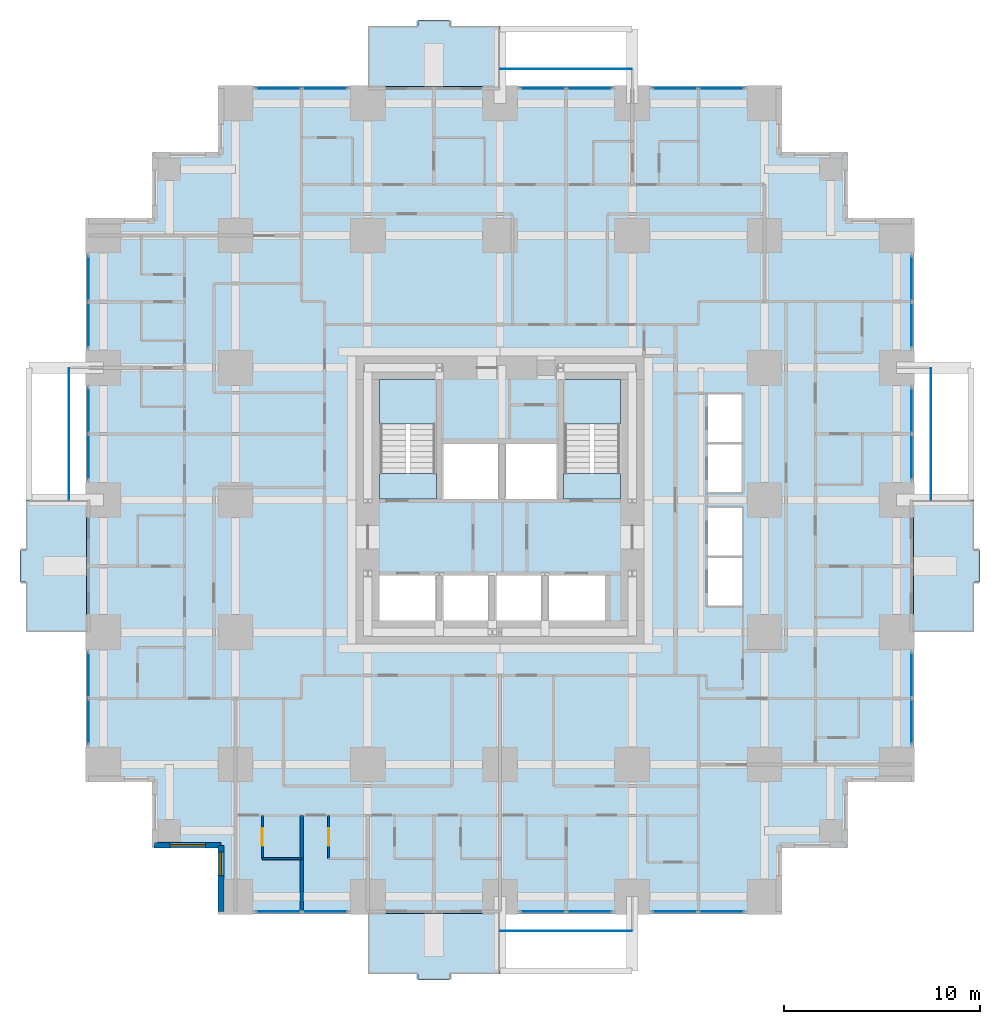
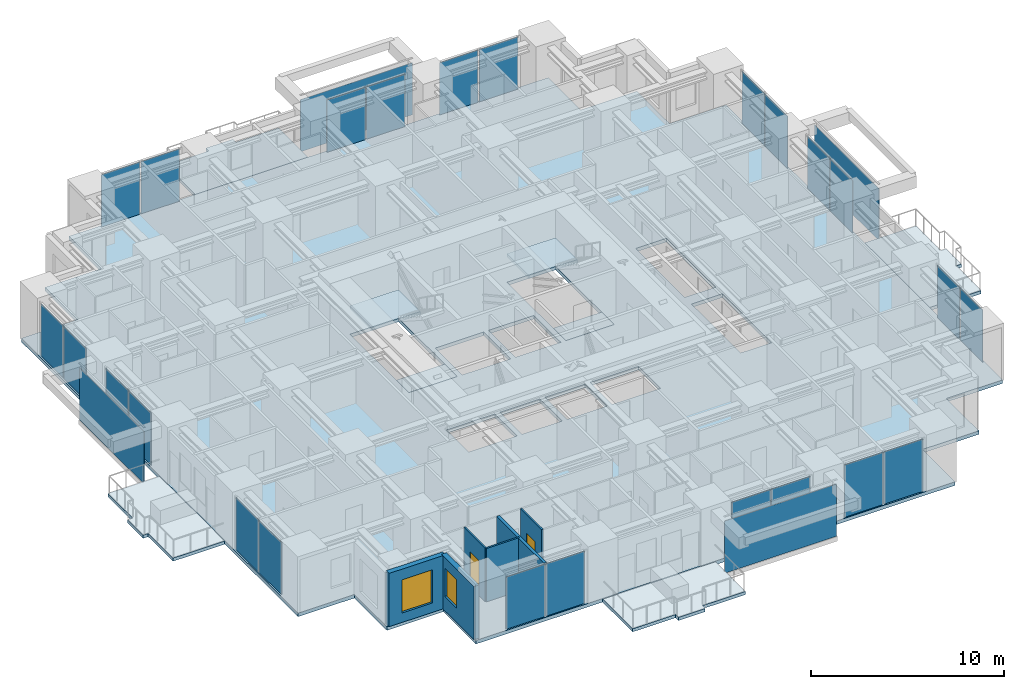
# One storey, part 7 of 14: 28 plates, 9 slabs, 6 walls, 2 doors, 2 windows, 4 openings, 14 elements without a shape of their own.
"""IFC4 building model written with IfcOpenShell, lengths in metres."""

from ifc_helpers import new_model, si_unit, direction, frame, frame_2d, origin, origin_2d, place, context, subcontext, project, spatial, polyline, rectangle, outline, extrude, material, layer, layer_set, type_object, element, fill, aggregate, save


model = new_model("IFC4")

# Units and contexts
model_context = context("Model", 3, precision=1e-05, world=origin(), true_north=direction((0.0, 1.0)))
body_context = subcontext(model_context, "Body", "Model", "MODEL_VIEW")
ifc_project = project(units=[si_unit("LENGTHUNIT", "METRE"), si_unit("AREAUNIT", "SQUARE_METRE"), si_unit("VOLUMEUNIT", "CUBIC_METRE"), si_unit("PLANEANGLEUNIT", "RADIAN"), si_unit("MASSUNIT", "GRAM", prefix="KILO")], contexts=[model_context])

# Site, building, storey
site_placement = place(None, origin())
site = spatial("IfcSite", under=ifc_project, at=site_placement, CompositionType="ELEMENT")
building_placement = place(site_placement, origin())
building = spatial("IfcBuilding", under=site, at=building_placement, Name="Nyansa Garden Tower", CompositionType="ELEMENT")
storey_placement = place(building_placement, frame((0.0, 0.0, 68.39990234375)))
storey = spatial("IfcBuildingStorey", under=building, at=storey_placement, Name="L18", CompositionType="ELEMENT", Elevation=68.39990234375)

# Slabs
ifc_material_1 = material(Name="Concrete C40/50", Category="concrete")
ifc_layer_1 = layer(ifc_material_1, 0.199951171875)
ifc_layer_set_1 = layer_set([ifc_layer_1], Name="Balcony slab BS200")
slab_type_1 = type_object("IfcSlabType", Name="Balcony slab BS200", PredefinedType="FLOOR", material=ifc_layer_set_1)
slab_1_placement = place(storey_placement, frame((0.0, 0.0, -0.239990234375)))
element("IfcSlab", 1, at=slab_1_placement, inside=storey, type_object=slab_type_1, Name="Balcony L18 S", PredefinedType="FLOOR", context=body_context, shape_type="SweptSolid", body=[
    extrude(outline(polyline([(13.5, -0.85009765625), (20.25, -0.85009765625), (20.25, -3.949951171875), (17.675048828125, -3.949951171875), (17.675048828125, -4.25), (16.074951171875, -4.25), (16.074951171875, -3.949951171875), (13.5, -3.949951171875), (13.5, -0.85009765625)])), origin(), (0.0, 0.0, 1.0), 0.2001953125),
])
slab_2_placement = place(storey_placement, frame((0.0, 0.0, -0.239990234375)))
element("IfcSlab", 2, at=slab_2_placement, inside=storey, type_object=slab_type_1, Name="Balcony L18 E", PredefinedType="FLOOR", context=body_context, shape_type="SweptSolid", body=[
    extrude(outline(polyline([(41.35009765625, 13.5), (41.35009765625, 20.25), (44.449951171875, 20.25), (44.449951171875, 17.675048828125), (44.75, 17.675048828125), (44.75, 16.074951171875), (44.449951171875, 16.074951171875), (44.449951171875, 13.5), (41.35009765625, 13.5)])), origin(), (0.0, 0.0, 1.0), 0.2001953125),
])
slab_3_placement = place(storey_placement, frame((0.0, 0.0, -0.239990234375)))
element("IfcSlab", 3, at=slab_3_placement, inside=storey, type_object=slab_type_1, Name="Balcony L18 N", PredefinedType="FLOOR", context=body_context, shape_type="SweptSolid", body=[
    extrude(outline(polyline([(13.5, 41.35009765625), (20.25, 41.35009765625), (20.25, 44.449951171875), (17.675048828125, 44.449951171875), (17.675048828125, 44.75), (16.074951171875, 44.75), (16.074951171875, 44.449951171875), (13.5, 44.449951171875), (13.5, 41.35009765625)])), origin(), (0.0, 0.0, 1.0), 0.2001953125),
])
slab_4_placement = place(storey_placement, frame((0.0, 0.0, -0.239990234375)))
element("IfcSlab", 4, at=slab_4_placement, inside=storey, type_object=slab_type_1, Name="Balcony L18 W", PredefinedType="FLOOR", context=body_context, shape_type="SweptSolid", body=[
    extrude(outline(polyline([(-0.85009765625, 13.5), (-0.85009765625, 20.25), (-3.949951171875, 20.25), (-3.949951171875, 17.675048828125), (-4.25, 17.675048828125), (-4.25, 16.074951171875), (-3.949951171875, 16.074951171875), (-3.949951171875, 13.5), (-0.85009765625, 13.5)])), origin(), (0.0, 0.0, 1.0), 0.2001953125),
])

# Curtain wall, plates
ifc_material_2 = material(Name="Black anodised aluminium, dark tinted double glazing", Category="aluminium")
curtain_wall_type = type_object("IfcCurtainWallType", Name="Inner skin curtain wall ISW-A", PredefinedType="USERDEFINED", material=ifc_material_2)
curtain_wall_1_placement = place(storey_placement, origin())
curtain_wall_1 = element("IfcCurtainWall", 5, at=curtain_wall_1_placement, inside=storey, type_object=curtain_wall_type, Name="Inner skin curtain wall L18 E", ObjectType="UNITISED CURTAIN WALL", PredefinedType="USERDEFINED")
ifc_material_3 = material(Name="Dark tinted laminated double glazing", Category="glass")
ifc_layer_2 = layer(ifc_material_3, 0.031982421875)
ifc_layer_set_2 = layer_set([ifc_layer_2], Name="Dark tinted vision panel VP-A")
plate_type_1 = type_object("IfcPlateType", Name="Dark tinted vision panel VP-A", PredefinedType="CURTAIN_PANEL", material=ifc_layer_set_2)
plate_1_placement = place(storey_placement, frame((41.25, 8.9375, 0.0), z_axis=(0.0, 0.0, 1.0), x_axis=(0.0, 1.0, 0.0)))
plate_1 = element("IfcPlate", 6, at=plate_1_placement, type_object=plate_type_1, Name="ISW-A panel 1", PredefinedType="CURTAIN_PANEL", context=body_context, shape_type="SweptSolid", body=[
    extrude(rectangle(XDim=2.31005859375, YDim=0.031982421875, at=origin_2d()), origin(), (0.0, 0.0, 1.0), 3.31005859375),
])
plate_2_placement = place(storey_placement, frame((41.25, 11.3125, 0.0), z_axis=(0.0, 0.0, 1.0), x_axis=(0.0, 1.0, 0.0)))
plate_2 = element("IfcPlate", 7, at=plate_2_placement, type_object=plate_type_1, Name="ISW-A panel 2", PredefinedType="CURTAIN_PANEL", context=body_context, shape_type="SweptSolid", body=[
    extrude(rectangle(XDim=2.31005859375, YDim=0.031982421875, at=origin_2d()), origin(), (0.0, 0.0, 1.0), 3.31005859375),
])
aggregate(curtain_wall_1, [plate_1, plate_2])

curtain_wall_2_placement = place(storey_placement, origin())
curtain_wall_2 = element("IfcCurtainWall", 8, at=curtain_wall_2_placement, inside=storey, type_object=curtain_wall_type, Name="Inner skin curtain wall L18 E", ObjectType="UNITISED CURTAIN WALL", PredefinedType="USERDEFINED")
plate_3_placement = place(storey_placement, frame((41.25, 22.4375, 0.0), z_axis=(0.0, 0.0, 1.0), x_axis=(0.0, 1.0, 0.0)))
plate_3 = element("IfcPlate", 9, at=plate_3_placement, type_object=plate_type_1, Name="ISW-A panel 1", PredefinedType="CURTAIN_PANEL", context=body_context, shape_type="SweptSolid", body=[
    extrude(rectangle(XDim=2.31005859375, YDim=0.031982421875, at=origin_2d()), origin(), (0.0, 0.0, 1.0), 3.31005859375),
])
plate_4_placement = place(storey_placement, frame((41.25, 24.8125, 0.0), z_axis=(0.0, 0.0, 1.0), x_axis=(0.0, 1.0, 0.0)))
plate_4 = element("IfcPlate", 10, at=plate_4_placement, type_object=plate_type_1, Name="ISW-A panel 2", PredefinedType="CURTAIN_PANEL", context=body_context, shape_type="SweptSolid", body=[
    extrude(rectangle(XDim=2.31005859375, YDim=0.031982421875, at=origin_2d()), origin(), (0.0, 0.0, 1.0), 3.31005859375),
])
aggregate(curtain_wall_2, [plate_3, plate_4])

curtain_wall_3_placement = place(storey_placement, origin())
curtain_wall_3 = element("IfcCurtainWall", 11, at=curtain_wall_3_placement, inside=storey, type_object=curtain_wall_type, Name="Inner skin curtain wall L18 E", ObjectType="UNITISED CURTAIN WALL", PredefinedType="USERDEFINED")
plate_5_placement = place(storey_placement, frame((41.25, 29.1875, 0.0), z_axis=(0.0, 0.0, 1.0), x_axis=(0.0, 1.0, 0.0)))
plate_5 = element("IfcPlate", 12, at=plate_5_placement, type_object=plate_type_1, Name="ISW-A panel 1", PredefinedType="CURTAIN_PANEL", context=body_context, shape_type="SweptSolid", body=[
    extrude(rectangle(XDim=2.31005859375, YDim=0.031982421875, at=origin_2d()), origin(), (0.0, 0.0, 1.0), 3.31005859375),
])
plate_6_placement = place(storey_placement, frame((41.25, 31.5625, 0.0), z_axis=(0.0, 0.0, 1.0), x_axis=(0.0, 1.0, 0.0)))
plate_6 = element("IfcPlate", 13, at=plate_6_placement, type_object=plate_type_1, Name="ISW-A panel 2", PredefinedType="CURTAIN_PANEL", context=body_context, shape_type="SweptSolid", body=[
    extrude(rectangle(XDim=2.31005859375, YDim=0.031982421875, at=origin_2d()), origin(), (0.0, 0.0, 1.0), 3.31005859375),
])
aggregate(curtain_wall_3, [plate_5, plate_6])

curtain_wall_4_placement = place(storey_placement, origin())
curtain_wall_4 = element("IfcCurtainWall", 14, at=curtain_wall_4_placement, inside=storey, type_object=curtain_wall_type, Name="Inner skin curtain wall L18 N", ObjectType="UNITISED CURTAIN WALL", PredefinedType="USERDEFINED")
plate_7_placement = place(storey_placement, frame((11.3125, 41.25, 0.0), z_axis=(0.0, 0.0, 1.0), x_axis=(-1.0, 0.0, 0.0)))
plate_7 = element("IfcPlate", 15, at=plate_7_placement, type_object=plate_type_1, Name="ISW-A panel 1", PredefinedType="CURTAIN_PANEL", context=body_context, shape_type="SweptSolid", body=[
    extrude(rectangle(XDim=2.31005859375, YDim=0.031982421875, at=origin_2d()), origin(), (0.0, 0.0, 1.0), 3.31005859375),
])
plate_8_placement = place(storey_placement, frame((8.9375, 41.25, 0.0), z_axis=(0.0, 0.0, 1.0), x_axis=(-1.0, 0.0, 0.0)))
plate_8 = element("IfcPlate", 16, at=plate_8_placement, type_object=plate_type_1, Name="ISW-A panel 2", PredefinedType="CURTAIN_PANEL", context=body_context, shape_type="SweptSolid", body=[
    extrude(rectangle(XDim=2.31005859375, YDim=0.031982421875, at=origin_2d()), origin(), (0.0, 0.0, 1.0), 3.31005859375),
])
aggregate(curtain_wall_4, [plate_7, plate_8])

curtain_wall_5_placement = place(storey_placement, origin())
curtain_wall_5 = element("IfcCurtainWall", 17, at=curtain_wall_5_placement, inside=storey, type_object=curtain_wall_type, Name="Inner skin curtain wall L18 N", ObjectType="UNITISED CURTAIN WALL", PredefinedType="USERDEFINED")
plate_9_placement = place(storey_placement, frame((31.5625, 41.25, 0.0), z_axis=(0.0, 0.0, 1.0), x_axis=(-1.0, 0.0, 0.0)))
plate_9 = element("IfcPlate", 18, at=plate_9_placement, type_object=plate_type_1, Name="ISW-A panel 1", PredefinedType="CURTAIN_PANEL", context=body_context, shape_type="SweptSolid", body=[
    extrude(rectangle(XDim=2.31005859375, YDim=0.031982421875, at=origin_2d()), origin(), (0.0, 0.0, 1.0), 3.31005859375),
])
plate_10_placement = place(storey_placement, frame((29.1875, 41.25, 0.0), z_axis=(0.0, 0.0, 1.0), x_axis=(-1.0, 0.0, 0.0)))
plate_10 = element("IfcPlate", 19, at=plate_10_placement, type_object=plate_type_1, Name="ISW-A panel 2", PredefinedType="CURTAIN_PANEL", context=body_context, shape_type="SweptSolid", body=[
    extrude(rectangle(XDim=2.31005859375, YDim=0.031982421875, at=origin_2d()), origin(), (0.0, 0.0, 1.0), 3.31005859375),
])
aggregate(curtain_wall_5, [plate_9, plate_10])

curtain_wall_6_placement = place(storey_placement, origin())
curtain_wall_6 = element("IfcCurtainWall", 20, at=curtain_wall_6_placement, inside=storey, type_object=curtain_wall_type, Name="Inner skin curtain wall L18 N", ObjectType="UNITISED CURTAIN WALL", PredefinedType="USERDEFINED")
plate_11_placement = place(storey_placement, frame((24.8125, 41.25, 0.0), z_axis=(0.0, 0.0, 1.0), x_axis=(-1.0, 0.0, 0.0)))
plate_11 = element("IfcPlate", 21, at=plate_11_placement, type_object=plate_type_1, Name="ISW-A panel 1", PredefinedType="CURTAIN_PANEL", context=body_context, shape_type="SweptSolid", body=[
    extrude(rectangle(XDim=2.31005859375, YDim=0.031982421875, at=origin_2d()), origin(), (0.0, 0.0, 1.0), 3.31005859375),
])
plate_12_placement = place(storey_placement, frame((22.4375, 41.25, 0.0), z_axis=(0.0, 0.0, 1.0), x_axis=(-1.0, 0.0, 0.0)))
plate_12 = element("IfcPlate", 22, at=plate_12_placement, type_object=plate_type_1, Name="ISW-A panel 2", PredefinedType="CURTAIN_PANEL", context=body_context, shape_type="SweptSolid", body=[
    extrude(rectangle(XDim=2.31005859375, YDim=0.031982421875, at=origin_2d()), origin(), (0.0, 0.0, 1.0), 3.31005859375),
])
aggregate(curtain_wall_6, [plate_11, plate_12])

curtain_wall_7_placement = place(storey_placement, origin())
curtain_wall_7 = element("IfcCurtainWall", 23, at=curtain_wall_7_placement, inside=storey, type_object=curtain_wall_type, Name="Inner skin curtain wall L18 W", ObjectType="UNITISED CURTAIN WALL", PredefinedType="USERDEFINED")
plate_13_placement = place(storey_placement, frame((-0.75, 11.3125, 0.0), z_axis=(0.0, 0.0, 1.0), x_axis=(0.0, -1.0, 0.0)))
plate_13 = element("IfcPlate", 24, at=plate_13_placement, type_object=plate_type_1, Name="ISW-A panel 1", PredefinedType="CURTAIN_PANEL", context=body_context, shape_type="SweptSolid", body=[
    extrude(rectangle(XDim=2.31005859375, YDim=0.031982421875, at=origin_2d()), origin(), (0.0, 0.0, 1.0), 3.31005859375),
])
plate_14_placement = place(storey_placement, frame((-0.75, 8.9375, 0.0), z_axis=(0.0, 0.0, 1.0), x_axis=(0.0, -1.0, 0.0)))
plate_14 = element("IfcPlate", 25, at=plate_14_placement, type_object=plate_type_1, Name="ISW-A panel 2", PredefinedType="CURTAIN_PANEL", context=body_context, shape_type="SweptSolid", body=[
    extrude(rectangle(XDim=2.31005859375, YDim=0.031982421875, at=origin_2d()), origin(), (0.0, 0.0, 1.0), 3.31005859375),
])
aggregate(curtain_wall_7, [plate_13, plate_14])

curtain_wall_8_placement = place(storey_placement, origin())
curtain_wall_8 = element("IfcCurtainWall", 26, at=curtain_wall_8_placement, inside=storey, type_object=curtain_wall_type, Name="Inner skin curtain wall L18 W", ObjectType="UNITISED CURTAIN WALL", PredefinedType="USERDEFINED")
plate_15_placement = place(storey_placement, frame((-0.75, 31.5625, 0.0), z_axis=(0.0, 0.0, 1.0), x_axis=(0.0, -1.0, 0.0)))
plate_15 = element("IfcPlate", 27, at=plate_15_placement, type_object=plate_type_1, Name="ISW-A panel 1", PredefinedType="CURTAIN_PANEL", context=body_context, shape_type="SweptSolid", body=[
    extrude(rectangle(XDim=2.31005859375, YDim=0.031982421875, at=origin_2d()), origin(), (0.0, 0.0, 1.0), 3.31005859375),
])
plate_16_placement = place(storey_placement, frame((-0.75, 29.1875, 0.0), z_axis=(0.0, 0.0, 1.0), x_axis=(0.0, -1.0, 0.0)))
plate_16 = element("IfcPlate", 28, at=plate_16_placement, type_object=plate_type_1, Name="ISW-A panel 2", PredefinedType="CURTAIN_PANEL", context=body_context, shape_type="SweptSolid", body=[
    extrude(rectangle(XDim=2.31005859375, YDim=0.031982421875, at=origin_2d()), origin(), (0.0, 0.0, 1.0), 3.31005859375),
])
aggregate(curtain_wall_8, [plate_15, plate_16])

curtain_wall_9_placement = place(storey_placement, origin())
curtain_wall_9 = element("IfcCurtainWall", 29, at=curtain_wall_9_placement, inside=storey, type_object=curtain_wall_type, Name="Inner skin curtain wall L18 W", ObjectType="UNITISED CURTAIN WALL", PredefinedType="USERDEFINED")
plate_17_placement = place(storey_placement, frame((-0.75, 24.8125, 0.0), z_axis=(0.0, 0.0, 1.0), x_axis=(0.0, -1.0, 0.0)))
plate_17 = element("IfcPlate", 30, at=plate_17_placement, type_object=plate_type_1, Name="ISW-A panel 1", PredefinedType="CURTAIN_PANEL", context=body_context, shape_type="SweptSolid", body=[
    extrude(rectangle(XDim=2.31005859375, YDim=0.031982421875, at=origin_2d()), origin(), (0.0, 0.0, 1.0), 3.31005859375),
])
plate_18_placement = place(storey_placement, frame((-0.75, 22.4375, 0.0), z_axis=(0.0, 0.0, 1.0), x_axis=(0.0, -1.0, 0.0)))
plate_18 = element("IfcPlate", 31, at=plate_18_placement, type_object=plate_type_1, Name="ISW-A panel 2", PredefinedType="CURTAIN_PANEL", context=body_context, shape_type="SweptSolid", body=[
    extrude(rectangle(XDim=2.31005859375, YDim=0.031982421875, at=origin_2d()), origin(), (0.0, 0.0, 1.0), 3.31005859375),
])
aggregate(curtain_wall_9, [plate_17, plate_18])

curtain_wall_10_placement = place(storey_placement, origin())
curtain_wall_10 = element("IfcCurtainWall", 32, at=curtain_wall_10_placement, inside=storey, type_object=curtain_wall_type, Name="Inner skin curtain wall L18 S", ObjectType="UNITISED CURTAIN WALL", PredefinedType="USERDEFINED")
plate_19_placement = place(storey_placement, frame((8.9375, -0.75, 0.0), z_axis=(0.0, 0.0, 1.0), x_axis=(1.0, 0.0, 0.0)))
plate_19 = element("IfcPlate", 33, at=plate_19_placement, type_object=plate_type_1, Name="ISW-A panel 1", PredefinedType="CURTAIN_PANEL", context=body_context, shape_type="SweptSolid", body=[
    extrude(rectangle(XDim=2.31005859375, YDim=0.031982421875, at=origin_2d()), origin(), (0.0, 0.0, 1.0), 3.31005859375),
])
plate_20_placement = place(storey_placement, frame((11.3125, -0.75, 0.0), z_axis=(0.0, 0.0, 1.0), x_axis=(1.0, 0.0, 0.0)))
plate_20 = element("IfcPlate", 34, at=plate_20_placement, type_object=plate_type_1, Name="ISW-A panel 2", PredefinedType="CURTAIN_PANEL", context=body_context, shape_type="SweptSolid", body=[
    extrude(rectangle(XDim=2.31005859375, YDim=0.031982421875, at=origin_2d()), origin(), (0.0, 0.0, 1.0), 3.31005859375),
])
aggregate(curtain_wall_10, [plate_19, plate_20])

curtain_wall_11_placement = place(storey_placement, origin())
curtain_wall_11 = element("IfcCurtainWall", 35, at=curtain_wall_11_placement, inside=storey, type_object=curtain_wall_type, Name="Inner skin curtain wall L18 S", ObjectType="UNITISED CURTAIN WALL", PredefinedType="USERDEFINED")
plate_21_placement = place(storey_placement, frame((22.4375, -0.75, 0.0), z_axis=(0.0, 0.0, 1.0), x_axis=(1.0, 0.0, 0.0)))
plate_21 = element("IfcPlate", 36, at=plate_21_placement, type_object=plate_type_1, Name="ISW-A panel 1", PredefinedType="CURTAIN_PANEL", context=body_context, shape_type="SweptSolid", body=[
    extrude(rectangle(XDim=2.31005859375, YDim=0.031982421875, at=origin_2d()), origin(), (0.0, 0.0, 1.0), 3.31005859375),
])
plate_22_placement = place(storey_placement, frame((24.8125, -0.75, 0.0), z_axis=(0.0, 0.0, 1.0), x_axis=(1.0, 0.0, 0.0)))
plate_22 = element("IfcPlate", 37, at=plate_22_placement, type_object=plate_type_1, Name="ISW-A panel 2", PredefinedType="CURTAIN_PANEL", context=body_context, shape_type="SweptSolid", body=[
    extrude(rectangle(XDim=2.31005859375, YDim=0.031982421875, at=origin_2d()), origin(), (0.0, 0.0, 1.0), 3.31005859375),
])
aggregate(curtain_wall_11, [plate_21, plate_22])

curtain_wall_12_placement = place(storey_placement, origin())
curtain_wall_12 = element("IfcCurtainWall", 38, at=curtain_wall_12_placement, inside=storey, type_object=curtain_wall_type, Name="Inner skin curtain wall L18 S", ObjectType="UNITISED CURTAIN WALL", PredefinedType="USERDEFINED")
plate_23_placement = place(storey_placement, frame((29.1875, -0.75, 0.0), z_axis=(0.0, 0.0, 1.0), x_axis=(1.0, 0.0, 0.0)))
plate_23 = element("IfcPlate", 39, at=plate_23_placement, type_object=plate_type_1, Name="ISW-A panel 1", PredefinedType="CURTAIN_PANEL", context=body_context, shape_type="SweptSolid", body=[
    extrude(rectangle(XDim=2.31005859375, YDim=0.031982421875, at=origin_2d()), origin(), (0.0, 0.0, 1.0), 3.31005859375),
])
plate_24_placement = place(storey_placement, frame((31.5625, -0.75, 0.0), z_axis=(0.0, 0.0, 1.0), x_axis=(1.0, 0.0, 0.0)))
plate_24 = element("IfcPlate", 40, at=plate_24_placement, type_object=plate_type_1, Name="ISW-A panel 2", PredefinedType="CURTAIN_PANEL", context=body_context, shape_type="SweptSolid", body=[
    extrude(rectangle(XDim=2.31005859375, YDim=0.031982421875, at=origin_2d()), origin(), (0.0, 0.0, 1.0), 3.31005859375),
])
aggregate(curtain_wall_12, [plate_23, plate_24])

# Slab
ifc_material_4 = material(Name="Concrete C40/50", Category="concrete")
ifc_layer_3 = layer(ifc_material_4, 0.22509765625)
ifc_layer_set_3 = layer_set([ifc_layer_3], Name="Floor slab FS225")
slab_type_2 = type_object("IfcSlabType", Name="Floor slab FS225", PredefinedType="FLOOR", material=ifc_layer_set_3)
slab_5_placement = place(storey_placement, frame((0.0, 0.0, -0.224853515625)))
element("IfcSlab", 41, at=slab_5_placement, inside=storey, type_object=slab_type_2, Name="Floor slab L18", PredefinedType="FLOOR", context=body_context, shape_type="SweptSolid", body=[
    extrude(outline(polyline([(41.35009765625, 5.89990234375), (37.97509765625, 5.89990234375), (37.97509765625, 2.52490234375), (34.60009765625, 2.52490234375), (34.60009765625, -0.85009765625), (5.89990234375, -0.85009765625), (5.89990234375, 2.52490234375), (2.52490234375, 2.52490234375), (2.52490234375, 5.89990234375), (-0.85009765625, 5.89990234375), (-0.85009765625, 34.60009765625), (2.52490234375, 34.60009765625), (2.52490234375, 37.97509765625), (5.89990234375, 37.97509765625), (5.89990234375, 41.35009765625), (34.60009765625, 41.35009765625), (34.60009765625, 37.97509765625), (37.97509765625, 37.97509765625), (37.97509765625, 34.60009765625), (41.35009765625, 34.60009765625), (41.35009765625, 5.89990234375)]), holes=[polyline([(14.10009765625, 14.10009765625), (17.0, 14.10009765625), (17.0, 16.39990234375), (14.10009765625, 16.39990234375), (14.10009765625, 14.10009765625)]), polyline([(17.300048828125, 14.10009765625), (19.699951171875, 14.10009765625), (19.699951171875, 16.39990234375), (17.300048828125, 16.39990234375), (17.300048828125, 14.10009765625)]), polyline([(20.0, 14.10009765625), (22.39990234375, 14.10009765625), (22.39990234375, 16.39990234375), (20.0, 16.39990234375), (20.0, 14.10009765625)]), polyline([(22.699951171875, 14.10009765625), (25.60009765625, 14.10009765625), (25.60009765625, 16.39990234375), (22.699951171875, 16.39990234375), (22.699951171875, 14.10009765625)]), polyline([(17.300048828125, 20.300048828125), (20.199951171875, 20.300048828125), (20.199951171875, 23.10009765625), (17.300048828125, 23.10009765625), (17.300048828125, 20.300048828125)]), polyline([(20.5, 20.300048828125), (23.199951171875, 20.300048828125), (23.199951171875, 23.10009765625), (20.5, 23.10009765625), (20.5, 20.300048828125)]), polyline([(30.800048828125, 14.800048828125), (32.64990234375, 14.800048828125), (32.64990234375, 19.89990234375), (30.800048828125, 19.89990234375), (30.800048828125, 14.800048828125)]), polyline([(30.800048828125, 20.60009765625), (32.64990234375, 20.60009765625), (32.64990234375, 25.699951171875), (30.800048828125, 25.699951171875), (30.800048828125, 20.60009765625)]), polyline([(14.10009765625, 20.300048828125), (17.0, 20.300048828125), (17.0, 26.39990234375), (14.10009765625, 26.39990234375), (14.10009765625, 20.300048828125)]), polyline([(23.5, 20.300048828125), (26.39990234375, 20.300048828125), (26.39990234375, 26.39990234375), (23.5, 26.39990234375), (23.5, 20.300048828125)])]), origin(), (0.0, 0.0, 1.0), 0.224853515625),
])

# Plates
ifc_material_5 = material(Name="Dark tinted laminated glass", Category="glass")
ifc_layer_4 = layer(ifc_material_5, 0.02392578125)
ifc_layer_set_4 = layer_set([ifc_layer_4], Name="Outer skin glass panel OS1")
plate_type_2 = type_object("IfcPlateType", Name="Outer skin glass panel OS1", PredefinedType="USERDEFINED", material=ifc_layer_set_4)
for number, where, z_axis, x_axis, name in (
    (42, (42.25, 23.625, -0.22509765625), (0.0, 0.0, 1.0), (0.0, 1.0, 0.0), "Outer skin glass panel L18"),
    (43, (23.625, 42.25, -0.22509765625), (0.0, 0.0, 1.0), (1.0, 0.0, 0.0), "Outer skin glass panel L18"),
    (44, (-1.75, 23.625, -0.22509765625), (0.0, 0.0, 1.0), (0.0, 1.0, 0.0), "Outer skin glass panel L18"),
    (45, (23.625, -1.75, -0.22509765625), (0.0, 0.0, 1.0), (1.0, 0.0, 0.0), "Outer skin glass panel L18"),
):
    element("IfcPlate", number, at=place(storey_placement, frame(where, z_axis=z_axis, x_axis=x_axis)), inside=storey, type_object=plate_type_2, Name=name, ObjectType="OUTER SKIN GLASS", PredefinedType="USERDEFINED", context=body_context, shape_type="SweptSolid", body=[
        extrude(rectangle(XDim=6.7099609375, YDim=0.02392578125, at=origin_2d()), origin(), (0.0, 0.0, 1.0), 3.300048828125),
    ])

# Stair, slabs
ifc_material_6 = material(Name="Precast concrete C40/50", Category="concrete")
stair_type_1 = type_object("IfcStairType", Name="Stair S1 180x280", PredefinedType="HALF_TURN_STAIR", material=ifc_material_6)
stair_1_placement = place(storey_placement, origin())
stair_1 = element("IfcStair", 46, at=stair_1_placement, inside=storey, type_object=stair_type_1, Name="Stair S1 L18", PredefinedType="HALF_TURN_STAIR")
ifc_material_7 = material(Name="Concrete C40/50", Category="concrete")
ifc_layer_5 = layer(ifc_material_7, 0.199951171875)
ifc_layer_set_5 = layer_set([ifc_layer_5], Name="Stair landing SL200")
slab_type_3 = type_object("IfcSlabType", Name="Stair landing SL200", PredefinedType="LANDING", material=ifc_layer_set_5)
slab_6_placement = place(storey_placement, frame((0.0, 0.0, -0.199951171875)))
slab_6 = element("IfcSlab", 47, at=slab_6_placement, type_object=slab_type_3, Name="S1 landing 1", PredefinedType="LANDING", context=body_context, shape_type="SweptSolid", body=[
    extrude(outline(polyline([(14.10009765625, 20.300048828125), (17.0, 20.300048828125), (17.0, 21.60009765625), (14.10009765625, 21.60009765625), (14.10009765625, 20.300048828125)])), origin(), (0.0, 0.0, 1.0), 0.199951171875),
])
slab_7_placement = place(storey_placement, frame((0.0, 0.0, 1.60009765625)))
slab_7 = element("IfcSlab", 48, at=slab_7_placement, type_object=slab_type_3, Name="S1 landing 2", PredefinedType="LANDING", context=body_context, shape_type="SweptSolid", body=[
    extrude(outline(polyline([(14.10009765625, 24.1201171875), (17.0, 24.1201171875), (17.0, 26.39990234375), (14.10009765625, 26.39990234375), (14.10009765625, 24.1201171875)])), origin(), (0.0, 0.0, 1.0), 0.199951171875),
])
aggregate(stair_1, [slab_6, slab_7])

ifc_material_8 = material(Name="Precast concrete C40/50", Category="concrete")
stair_type_2 = type_object("IfcStairType", Name="Stair S2 180x280", PredefinedType="HALF_TURN_STAIR", material=ifc_material_8)
stair_2_placement = place(storey_placement, origin())
stair_2 = element("IfcStair", 49, at=stair_2_placement, inside=storey, type_object=stair_type_2, Name="Stair S2 L18", PredefinedType="HALF_TURN_STAIR")
slab_8_placement = place(storey_placement, frame((0.0, 0.0, -0.199951171875)))
slab_8 = element("IfcSlab", 50, at=slab_8_placement, type_object=slab_type_3, Name="S2 landing 1", PredefinedType="LANDING", context=body_context, shape_type="SweptSolid", body=[
    extrude(outline(polyline([(23.5, 20.300048828125), (26.39990234375, 20.300048828125), (26.39990234375, 21.60009765625), (23.5, 21.60009765625), (23.5, 20.300048828125)])), origin(), (0.0, 0.0, 1.0), 0.199951171875),
])
slab_9_placement = place(storey_placement, frame((0.0, 0.0, 1.60009765625)))
slab_9 = element("IfcSlab", 51, at=slab_9_placement, type_object=slab_type_3, Name="S2 landing 2", PredefinedType="LANDING", context=body_context, shape_type="SweptSolid", body=[
    extrude(outline(polyline([(23.5, 24.1201171875), (26.39990234375, 24.1201171875), (26.39990234375, 26.39990234375), (23.5, 26.39990234375), (23.5, 24.1201171875)])), origin(), (0.0, 0.0, 1.0), 0.199951171875),
])
aggregate(stair_2, [slab_8, slab_9])

# Wall
ifc_material_9 = material(Name="Dense blockwork, plastered both sides, 55 dB", Category="masonry")
ifc_layer_6 = layer(ifc_material_9, 0.175048828125)
ifc_layer_set_6 = layer_set([ifc_layer_6], Name="Acoustic party wall PW175")
wall_type_1 = type_object("IfcWallType", Name="Acoustic party wall PW175", PredefinedType="PARTITIONING", material=ifc_layer_set_6)
wall_1_placement = place(storey_placement, frame((10.125, -0.73388671875, 0.0), z_axis=(0.0, 0.0, 1.0), x_axis=(0.0, 1.0, 0.0)))
element("IfcWall", 52, at=wall_1_placement, inside=storey, type_object=wall_type_1, Name="Party wall", PredefinedType="PARTITIONING", context=body_context, shape_type="SweptSolid", body=[
    extrude(rectangle(XDim=4.8837890625, YDim=0.175048828125, at=frame_2d((2.44189453125, 0.0))), origin(), (0.0, 0.0, 1.0), 3.375),
])

# Wall, opening, window
ifc_material_10 = material(Name="Turquoise glazed tile on concrete blockwork", Category="masonry")
ifc_layer_7 = layer(ifc_material_10, 0.300048828125)
ifc_layer_set_7 = layer_set([ifc_layer_7], Name="Tiled corner wall TW300")
wall_type_2 = type_object("IfcWallType", Name="Tiled corner wall TW300", PredefinedType="SOLIDWALL", material=ifc_layer_set_7)
wall_2_placement = place(storey_placement, frame((2.625, 2.625, 0.0), z_axis=(0.0, 0.0, 1.0), x_axis=(1.0, 0.0, 0.0)))
wall_2 = element("IfcWall", 53, at=wall_2_placement, inside=storey, type_object=wall_type_2, Name="Tiled corner wall L18", PredefinedType="SOLIDWALL", context=body_context, shape_type="SweptSolid", body=[
    extrude(rectangle(XDim=3.375, YDim=0.300048828125, at=frame_2d((1.6875, 0.0))), origin(), (0.0, 0.0, 1.0), 3.375),
])
opening_1_placement = place(wall_2_placement, frame((0.78759765625, 0.0, 0.60009765625)))
opening_1 = element("IfcOpeningElement", 54, at=opening_1_placement, cuts=wall_2, Name="Opening W2", PredefinedType="OPENING", context=body_context, shape_type="SweptSolid", body=[
    extrude(rectangle(XDim=1.800048828125, YDim=2.10009765625, at=frame_2d((0.89990234375, 1.050048828125))), frame((0.0, 0.159912109375, 0.0), z_axis=(0.0, -1.0, 0.0), x_axis=(1.0, 0.0, 0.0)), (0.0, 0.0, 1.0), 0.320068359375),
])
ifc_material_11 = material(Name="Black aluminium frame, dark tinted double glazing", Category="aluminium")
window_type_1 = type_object("IfcWindowType", Name="Window W2 1800x2100", PartitioningType="SINGLE_PANEL", PredefinedType="WINDOW", material=ifc_material_11)
window_1_placement = place(opening_1_placement, origin())
window_1 = element("IfcWindow", 55, at=window_1_placement, inside=storey, type_object=window_type_1, Name="Corner window L18", OverallHeight=2.10009765625, OverallWidth=1.800048828125, PartitioningType="SINGLE_PANEL", PredefinedType="WINDOW", context=body_context, shape_type="SweptSolid", body=[
    extrude(rectangle(XDim=1.800048828125, YDim=2.10009765625, at=frame_2d((0.89990234375, 1.050048828125))), frame((0.0, 0.030029296875, 0.0), z_axis=(0.0, -1.0, 0.0), x_axis=(1.0, 0.0, 0.0)), (0.0, 0.0, 1.0), 0.06005859375),
])
fill(opening_1, window_1)

wall_3_placement = place(storey_placement, frame((6.0, 2.625, 0.0), z_axis=(0.0, 0.0, 1.0), x_axis=(0.0, -1.0, 0.0)))
wall_3 = element("IfcWall", 56, at=wall_3_placement, inside=storey, type_object=wall_type_2, Name="Tiled corner wall L18", PredefinedType="SOLIDWALL", context=body_context, shape_type="SweptSolid", body=[
    extrude(rectangle(XDim=3.375, YDim=0.300048828125, at=frame_2d((1.6875, 0.0))), origin(), (0.0, 0.0, 1.0), 3.375),
])
opening_2_placement = place(wall_3_placement, frame((0.342529296875, 0.0, 0.89990234375)))
opening_2 = element("IfcOpeningElement", 57, at=opening_2_placement, cuts=wall_3, Name="Opening W4", PredefinedType="OPENING", context=body_context, shape_type="SweptSolid", body=[
    extrude(rectangle(XDim=1.199951171875, YDim=1.800048828125, at=frame_2d((0.60009765625, 0.89990234375))), frame((0.0, 0.159912109375, 0.0), z_axis=(0.0, -1.0, 0.0), x_axis=(1.0, 0.0, 0.0)), (0.0, 0.0, 1.0), 0.320068359375),
])
ifc_material_12 = material(Name="Black aluminium frame, dark tinted double glazing", Category="aluminium")
window_type_2 = type_object("IfcWindowType", Name="Window W4 1200x1800", PartitioningType="SINGLE_PANEL", PredefinedType="WINDOW", material=ifc_material_12)
window_2_placement = place(opening_2_placement, origin())
window_2 = element("IfcWindow", 58, at=window_2_placement, inside=storey, type_object=window_type_2, Name="Corner window L18", OverallHeight=1.800048828125, OverallWidth=1.199951171875, PartitioningType="SINGLE_PANEL", PredefinedType="WINDOW", context=body_context, shape_type="SweptSolid", body=[
    extrude(rectangle(XDim=1.199951171875, YDim=1.800048828125, at=frame_2d((0.60009765625, 0.89990234375))), frame((0.0, 0.030029296875, 0.0), z_axis=(0.0, -1.0, 0.0), x_axis=(1.0, 0.0, 0.0)), (0.0, 0.0, 1.0), 0.06005859375),
])
fill(opening_2, window_2)

# Wall, opening, door
ifc_material_13 = material(Name="Moisture resistant board on steel studs, tiled", Category="steel")
ifc_layer_8 = layer(ifc_material_13, 0.10009765625)
ifc_layer_set_8 = layer_set([ifc_layer_8], Name="Wet wall PW100")
wall_type_3 = type_object("IfcWallType", Name="Wet wall PW100", PredefinedType="PARTITIONING", material=ifc_layer_set_8)
wall_4_placement = place(storey_placement, frame((8.125, 1.949951171875, 0.0), z_axis=(0.0, 0.0, 1.0), x_axis=(0.0, 1.0, 0.0)))
wall_4 = element("IfcWall", 59, at=wall_4_placement, inside=storey, type_object=wall_type_3, Name="Wet wall", PredefinedType="PARTITIONING", context=body_context, shape_type="SweptSolid", body=[
    extrude(rectangle(XDim=2.199951171875, YDim=0.10009765625, at=frame_2d((1.10009765625, 0.0))), origin(), (0.0, 0.0, 1.0), 3.375),
])
opening_3_placement = place(wall_4_placement, frame((0.64990234375, 0.0, 0.0)))
opening_3 = element("IfcOpeningElement", 60, at=opening_3_placement, cuts=wall_4, Name="Opening D02", PredefinedType="OPENING", context=body_context, shape_type="SweptSolid", body=[
    extrude(rectangle(XDim=0.89990234375, YDim=2.199951171875, at=frame_2d((0.449951171875, 1.10009765625))), frame((0.0, 0.06005859375, 0.0), z_axis=(0.0, -1.0, 0.0), x_axis=(1.0, 0.0, 0.0)), (0.0, 0.0, 1.0), 0.1201171875),
])
ifc_material_14 = material(Name="Timber flush door", Category="wood")
door_type = type_object("IfcDoorType", Name="En-suite door D02 900x2200", OperationType="SINGLE_SWING_RIGHT", PredefinedType="DOOR", material=ifc_material_14)
door_1_placement = place(opening_3_placement, origin())
door_1 = element("IfcDoor", 61, at=door_1_placement, inside=storey, type_object=door_type, Name="Door L18-021", OperationType="SINGLE_SWING_RIGHT", OverallHeight=2.199951171875, OverallWidth=0.89990234375, PredefinedType="DOOR", context=body_context, shape_type="SweptSolid", body=[
    extrude(rectangle(XDim=0.89990234375, YDim=2.199951171875, at=frame_2d((0.449951171875, 1.10009765625))), frame((0.0, 0.02490234375, 0.0), z_axis=(0.0, -1.0, 0.0), x_axis=(1.0, 0.0, 0.0)), (0.0, 0.0, 1.0), 0.050048828125),
])
fill(opening_3, door_1)

# Wall
wall_5_placement = place(storey_placement, frame((8.125, 1.949951171875, 0.0), z_axis=(0.0, 0.0, 1.0), x_axis=(1.0, 0.0, 0.0)))
element("IfcWall", 62, at=wall_5_placement, inside=storey, type_object=wall_type_3, Name="Wet wall", PredefinedType="PARTITIONING", context=body_context, shape_type="SweptSolid", body=[
    extrude(rectangle(XDim=2.0, YDim=0.10009765625, at=frame_2d((1.0, 0.0))), origin(), (0.0, 0.0, 1.0), 3.375),
])

# Wall, opening, door
wall_6_placement = place(storey_placement, frame((11.5, 1.949951171875, 0.0), z_axis=(0.0, 0.0, 1.0), x_axis=(0.0, 1.0, 0.0)))
wall_6 = element("IfcWall", 63, at=wall_6_placement, inside=storey, type_object=wall_type_3, Name="Wet wall", PredefinedType="PARTITIONING", context=body_context, shape_type="SweptSolid", body=[
    extrude(rectangle(XDim=2.199951171875, YDim=0.10009765625, at=frame_2d((1.10009765625, 0.0))), origin(), (0.0, 0.0, 1.0), 3.375),
])
opening_4_placement = place(wall_6_placement, frame((0.64990234375, 0.0, 0.0)))
opening_4 = element("IfcOpeningElement", 64, at=opening_4_placement, cuts=wall_6, Name="Opening D02", PredefinedType="OPENING", context=body_context, shape_type="SweptSolid", body=[
    extrude(rectangle(XDim=0.89990234375, YDim=2.199951171875, at=frame_2d((0.449951171875, 1.10009765625))), frame((0.0, 0.06005859375, 0.0), z_axis=(0.0, -1.0, 0.0), x_axis=(1.0, 0.0, 0.0)), (0.0, 0.0, 1.0), 0.1201171875),
])
door_2_placement = place(opening_4_placement, origin())
door_2 = element("IfcDoor", 65, at=door_2_placement, inside=storey, type_object=door_type, Name="Door L18-023", OperationType="SINGLE_SWING_RIGHT", OverallHeight=2.199951171875, OverallWidth=0.89990234375, PredefinedType="DOOR", context=body_context, shape_type="SweptSolid", body=[
    extrude(rectangle(XDim=0.89990234375, YDim=2.199951171875, at=frame_2d((0.449951171875, 1.10009765625))), frame((0.0, 0.02490234375, 0.0), z_axis=(0.0, -1.0, 0.0), x_axis=(1.0, 0.0, 0.0)), (0.0, 0.0, 1.0), 0.050048828125),
])
fill(opening_4, door_2)

save(model, "model.ifc")
